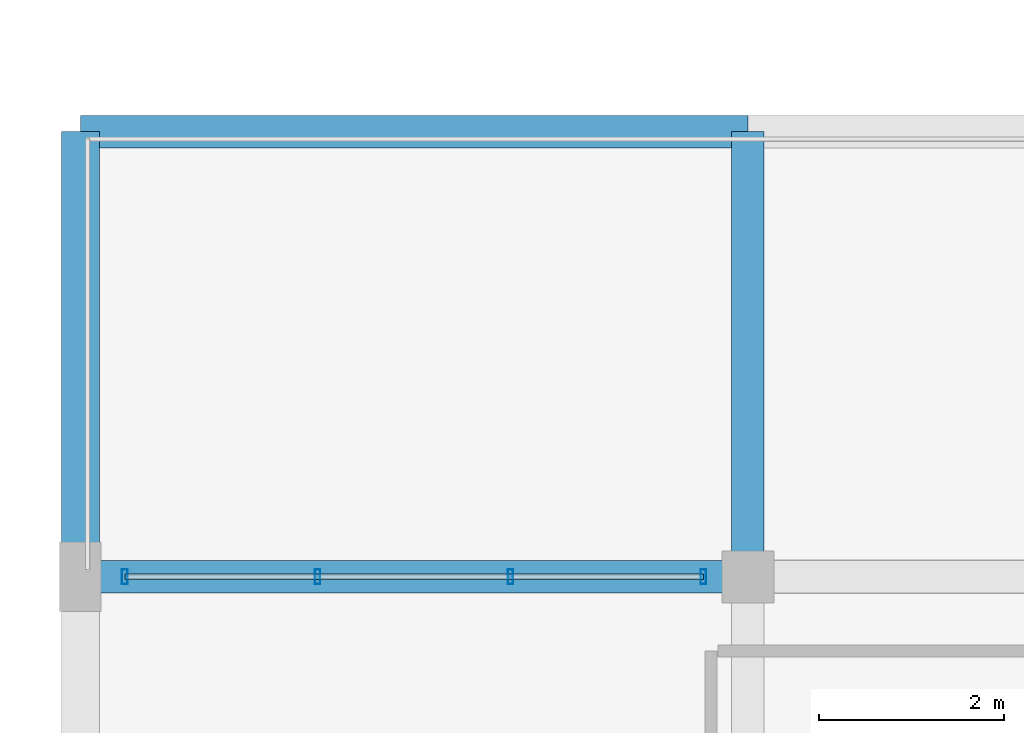
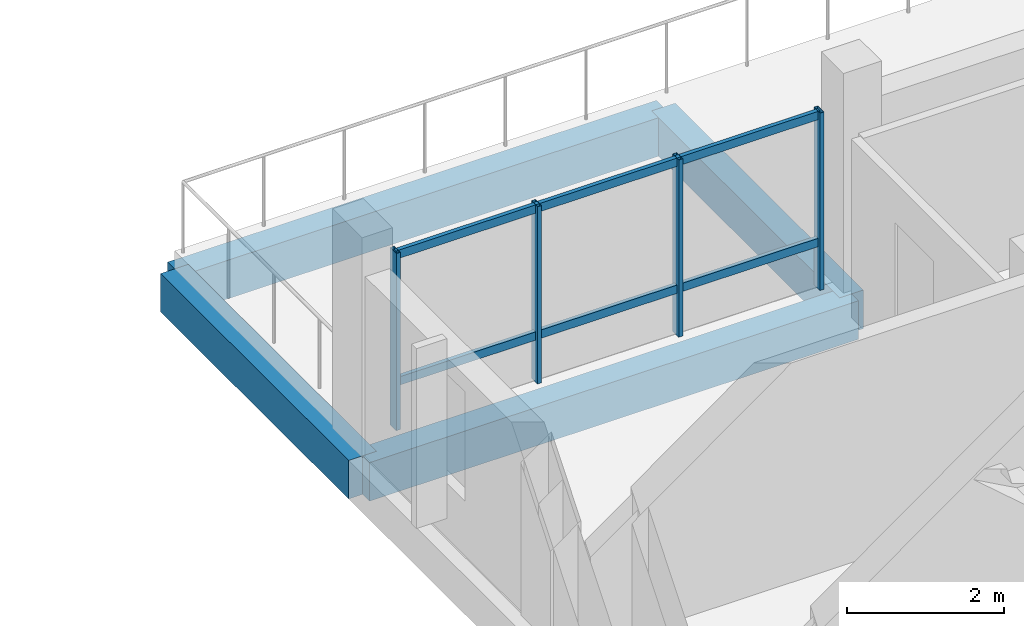
# One storey, part 16 of 66: 6 members, 4 beams, 1 element without a shape of its own.
"""IFC4 building model written with IfcOpenShell, lengths in metres."""

from ifc_helpers import new_model, si_unit, direction, frame, origin, origin_2d, place, context, subcontext, project, spatial, rectangle, hollow_rectangle, extrude, material, material_profile, profile_set, type_object, element, aggregate, save


model = new_model("IFC4")

# Units and contexts
model_context = context("Model", 3, precision=1e-05, world=origin(), true_north=direction((0.0, 1.0)))
body_context = subcontext(model_context, "Body", "Model", "MODEL_VIEW")
ifc_project = project(units=[si_unit("LENGTHUNIT", "METRE"), si_unit("AREAUNIT", "SQUARE_METRE"), si_unit("VOLUMEUNIT", "CUBIC_METRE"), si_unit("PLANEANGLEUNIT", "RADIAN"), si_unit("MASSUNIT", "GRAM", prefix="KILO")], contexts=[model_context])

# Site, building, storey
site_placement = place(None, origin())
site = spatial("IfcSite", under=ifc_project, at=site_placement, CompositionType="ELEMENT")
building_placement = place(site_placement, origin())
building = spatial("IfcBuilding", under=site, at=building_placement, Name="Zornivar Specialist Clinic", CompositionType="ELEMENT")
storey_placement = place(building_placement, frame((0.0, 0.0, 16.0)))
storey = spatial("IfcBuildingStorey", under=building, at=storey_placement, Name="L04", CompositionType="ELEMENT", Elevation=16.0)

# Beams
ifc_material_1 = material(Name="Concrete C30/37", Category="concrete")
ifc_material_profile_1 = material_profile(ifc_material_1, rectangle(XDim=0.35009765625, YDim=0.60009765625, at=origin_2d()), Name="RC 350x600")
ifc_profile_set_1 = profile_set([ifc_material_profile_1], Name="Concrete C30/37")
beam_type_1 = type_object("IfcBeamType", Name="BM-RC-350x600", PredefinedType="BEAM", material=ifc_profile_set_1)
for number, where, z_axis, x_axis, name in (
    (1, (0.0, 48.0, -0.580078125), (1.0, 0.0, 0.0), (0.0, 1.0, 0.0), "bm:V2:L04:x:480:0"),
    (2, (0.0, 52.800048828125, -0.580078125), (1.0, 0.0, 0.0), (0.0, 1.0, 0.0), "bm:V2:L04:x:528:0"),
):
    element("IfcBeam", number, at=place(storey_placement, frame(where, z_axis=z_axis, x_axis=x_axis)), inside=storey, type_object=beam_type_1, Name=name, PredefinedType="BEAM", context=body_context, shape_type="SweptSolid", body=[
        extrude(rectangle(XDim=0.35009765625, YDim=0.60009765625, at=origin_2d()), origin(), (0.0, 0.0, 1.0), 7.199951171875),
    ])
beam_1_placement = place(storey_placement, frame((7.199951171875, 48.0, -0.580078125), z_axis=(0.0, 1.0, 0.0), x_axis=(-1.0, 0.0, 0.0)))
element("IfcBeam", 3, at=beam_1_placement, inside=storey, type_object=beam_type_1, Name="bm:V2:L04:y:72:7", PredefinedType="BEAM", context=body_context, shape_type="SweptSolid", body=[
    extrude(rectangle(XDim=0.35009765625, YDim=0.60009765625, at=origin_2d()), origin(), (0.0, 0.0, 1.0), 4.800048828125),
])
ifc_material_2 = material(Name="Concrete C30/37", Category="concrete")
ifc_material_profile_2 = material_profile(ifc_material_2, rectangle(XDim=0.409912109375, YDim=0.60009765625, at=origin_2d()), Name="RC 410x600")
ifc_profile_set_2 = profile_set([ifc_material_profile_2], Name="Concrete C30/37")
beam_type_2 = type_object("IfcBeamType", Name="BM-RC-SPANDREL-410x600", PredefinedType="SPANDREL", material=ifc_profile_set_2)
beam_2_placement = place(storey_placement, frame((0.0, 48.0, -0.580078125), z_axis=(0.0, 1.0, 0.0), x_axis=(-1.0, 0.0, 0.0)))
element("IfcBeam", 4, at=beam_2_placement, inside=storey, type_object=beam_type_2, Name="bm:V2:L04:y:0:7", PredefinedType="SPANDREL", context=body_context, shape_type="SweptSolid", body=[
    extrude(rectangle(XDim=0.409912109375, YDim=0.60009765625, at=origin_2d()), origin(), (0.0, 0.0, 1.0), 4.800048828125),
])

# Curtain wall, members
ifc_material_3 = material(Name="Aluminium and Low-E Glass Curtain Wall", Category="aluminium")
curtain_wall_type = type_object("IfcCurtainWallType", Name="CW-REVAK-COURT", PredefinedType="NOTDEFINED", material=ifc_material_3)
curtain_wall_placement = place(storey_placement, origin())
curtain_wall = element("IfcCurtainWall", 5, at=curtain_wall_placement, inside=storey, type_object=curtain_wall_type, Name="cw:V2:L04:18", PredefinedType="NOTDEFINED")
ifc_material_4 = material(Name="Aluminium AW-6060", Category="aluminium")
ifc_material_profile_3 = material_profile(ifc_material_4, hollow_rectangle(XDim=0.06005859375, YDim=0.159912109375, WallThickness=0.00390625, at=origin_2d()), Name="ALU 60x160x4")
ifc_profile_set_3 = profile_set([ifc_material_profile_3], Name="Aluminium AW-6060")
member_type_1 = type_object("IfcMemberType", Name="CWM-MUL-160", PredefinedType="MULLION", material=ifc_profile_set_3)
member_1_placement = place(storey_placement, frame((6.719970703125, 48.0, 0.0), z_axis=(0.0, 0.0, 1.0), x_axis=(1.0, 0.0, 0.0)))
member_1 = element("IfcMember", 6, at=member_1_placement, type_object=member_type_1, Name="cw:V2:L04:18:mul:0", PredefinedType="MULLION", context=body_context, shape_type="SweptSolid", body=[
    extrude(hollow_rectangle(XDim=0.06005859375, YDim=0.159912109375, WallThickness=0.00390625, at=origin_2d()), origin(), (0.0, 0.0, 1.0), 2.760009765625),
])
member_2_placement = place(storey_placement, frame((4.639892578125, 48.0, 0.0), z_axis=(0.0, 0.0, 1.0), x_axis=(1.0, 0.0, 0.0)))
member_2 = element("IfcMember", 7, at=member_2_placement, type_object=member_type_1, Name="cw:V2:L04:18:mul:1", PredefinedType="MULLION", context=body_context, shape_type="SweptSolid", body=[
    extrude(hollow_rectangle(XDim=0.06005859375, YDim=0.159912109375, WallThickness=0.00390625, at=origin_2d()), origin(), (0.0, 0.0, 1.0), 2.760009765625),
])
member_3_placement = place(storey_placement, frame((2.56005859375, 48.0, 0.0), z_axis=(0.0, 0.0, 1.0), x_axis=(1.0, 0.0, 0.0)))
member_3 = element("IfcMember", 8, at=member_3_placement, type_object=member_type_1, Name="cw:V2:L04:18:mul:2", PredefinedType="MULLION", context=body_context, shape_type="SweptSolid", body=[
    extrude(hollow_rectangle(XDim=0.06005859375, YDim=0.159912109375, WallThickness=0.00390625, at=origin_2d()), origin(), (0.0, 0.0, 1.0), 2.760009765625),
])
member_4_placement = place(storey_placement, frame((0.47998046875, 48.0, 0.0), z_axis=(0.0, 0.0, 1.0), x_axis=(1.0, 0.0, 0.0)))
member_4 = element("IfcMember", 9, at=member_4_placement, type_object=member_type_1, Name="cw:V2:L04:18:mul:3", PredefinedType="MULLION", context=body_context, shape_type="SweptSolid", body=[
    extrude(hollow_rectangle(XDim=0.06005859375, YDim=0.159912109375, WallThickness=0.00390625, at=origin_2d()), origin(), (0.0, 0.0, 1.0), 2.760009765625),
])
ifc_material_5 = material(Name="Aluminium AW-6060", Category="aluminium")
ifc_material_profile_4 = material_profile(ifc_material_5, hollow_rectangle(XDim=0.06005859375, YDim=0.1298828125, WallThickness=0.00390625, at=origin_2d()), Name="ALU 60x130x4")
ifc_profile_set_4 = profile_set([ifc_material_profile_4], Name="Aluminium AW-6060")
member_type_2 = type_object("IfcMemberType", Name="CWM-TRN-130", PredefinedType="USERDEFINED", material=ifc_profile_set_4)
member_5_placement = place(storey_placement, frame((6.719970703125, 48.0, 0.718017578125), z_axis=(-1.0, 0.0, 0.0), x_axis=(0.0, -1.0, 0.0)))
member_5 = element("IfcMember", 10, at=member_5_placement, type_object=member_type_2, Name="cw:V2:L04:18:trn:0", ObjectType="TRANSOM", PredefinedType="USERDEFINED", context=body_context, shape_type="SweptSolid", body=[
    extrude(hollow_rectangle(XDim=0.06005859375, YDim=0.1298828125, WallThickness=0.00390625, at=origin_2d()), origin(), (0.0, 0.0, 1.0), 6.239990234375),
])
member_6_placement = place(storey_placement, frame((6.719970703125, 48.0, 2.695068359375), z_axis=(-1.0, 0.0, 0.0), x_axis=(0.0, -1.0, 0.0)))
member_6 = element("IfcMember", 11, at=member_6_placement, type_object=member_type_2, Name="cw:V2:L04:18:trn:1", ObjectType="TRANSOM", PredefinedType="USERDEFINED", context=body_context, shape_type="SweptSolid", body=[
    extrude(hollow_rectangle(XDim=0.06005859375, YDim=0.1298828125, WallThickness=0.00390625, at=origin_2d()), origin(), (0.0, 0.0, 1.0), 6.239990234375),
])
aggregate(curtain_wall, [member_1, member_2, member_3, member_4, member_5, member_6])

save(model, "model.ifc")
